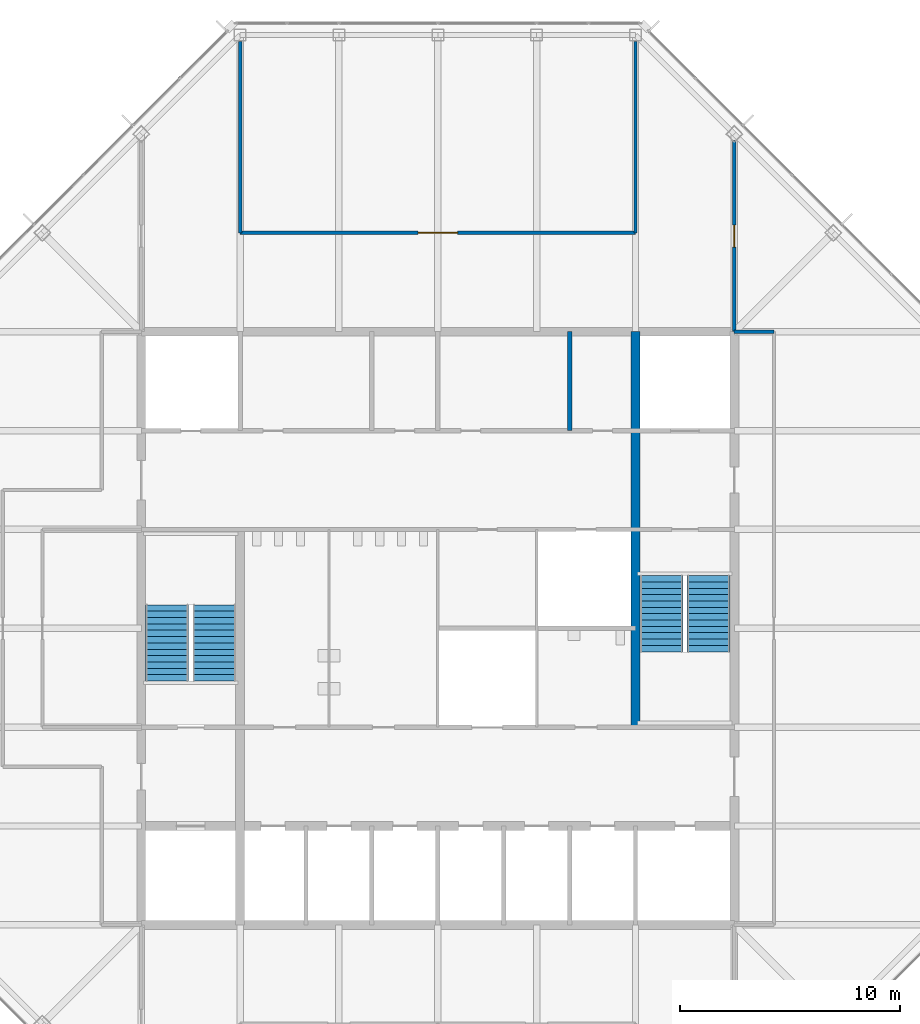
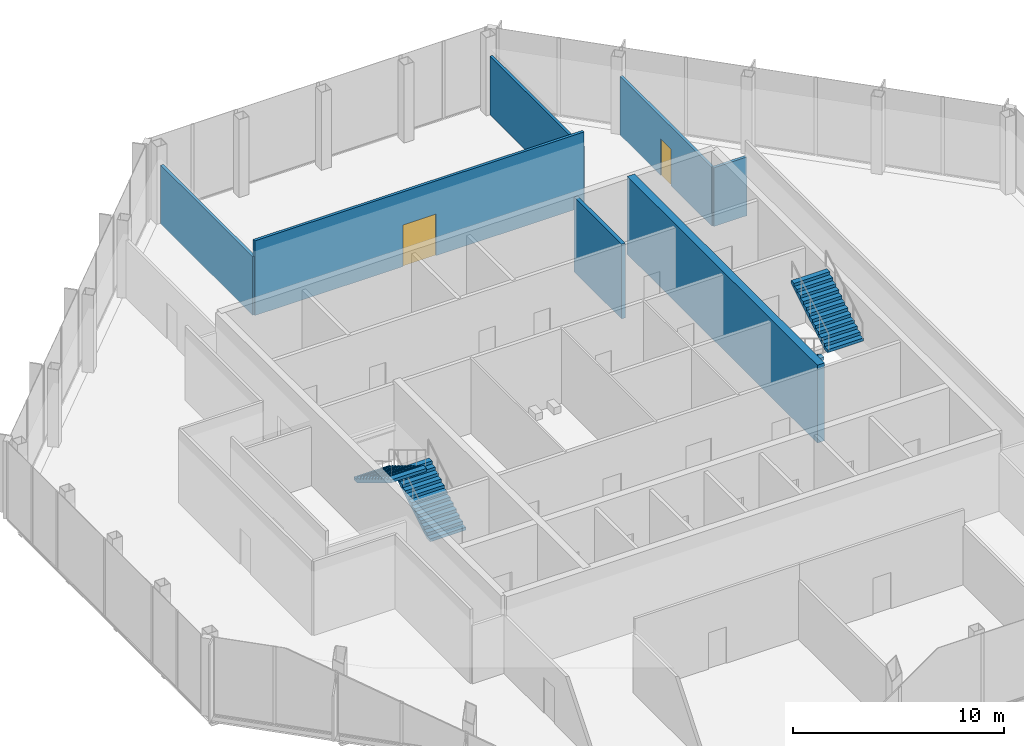
# One storey, part 11 of 13: 7 walls, 4 stair flights, 2 doors, 2 openings, 2 elements without a shape of their own.
"""IFC4 building model written with IfcOpenShell, lengths in metres."""

import ifcopenshell
import ifcopenshell.guid

model = None  # the IFC model being written
_history = None  # IfcOwnerHistory: only IFC2X3 demands one
_inside = {}  # id of a spatial element -> (the spatial element, [elements in it])
_under = {}  # id of a project, library or spatial element -> (it, [spatial elements below it])
_declared = {}  # id of a project -> (the project, [libraries it declares])
_typed = {}  # id of a type object -> (the type object, [elements of that type])
_made_of = {}  # id of a material, layer set ... -> (it, [elements and type objects made of it])


def new_model(schema):
    """Start an empty IFC model of exactly this schema.

    Asked for "IFC4X3", IfcOpenShell would pick the latest addendum, in which some entities
    have other attributes; the version numbers below select the first issue.
    IFC2X3 requires an IfcOwnerHistory on every rooted entity: one is made here for all.
    """
    global model, _history
    if schema == "IFC4X3":
        model = ifcopenshell.file(schema_version=(4, 3, 0, 0))
    else:
        model = ifcopenshell.file(schema=schema)
    _inside.clear()
    _under.clear()
    _declared.clear()
    _typed.clear()
    _made_of.clear()
    _history = None
    if model.schema == "IFC2X3":
        org = make("IfcOrganization", Name="unknown")
        user = make(
            "IfcPersonAndOrganization",
            ThePerson=make("IfcPerson", FamilyName="unknown"),
            TheOrganization=org,
        )
        app = make(
            "IfcApplication",
            ApplicationDeveloper=org,
            Version="unknown",
            ApplicationFullName="unknown",
            ApplicationIdentifier="unknown",
        )
        _history = make(
            "IfcOwnerHistory",
            OwningUser=user,
            OwningApplication=app,
            ChangeAction="ADDED",
            CreationDate=0,
        )
    return model


def make(cls, **values):
    """One entity of the class cls with the attributes given. An attribute that is None is left unset."""
    return model.create_entity(
        cls, **{name: value for name, value in values.items() if value is not None}
    )


def rooted(cls, **values):
    """An entity with a GlobalId (a new one), such as an element, a storey or a relation."""
    return make(cls, GlobalId=ifcopenshell.guid.new(), OwnerHistory=_history, **values)


def si_unit(unit_type, name, prefix=None):
    """IfcSIUnit, for example si_unit("LENGTHUNIT", "METRE", prefix="MILLI")."""
    return make("IfcSIUnit", UnitType=unit_type, Prefix=prefix, Name=name)


def assignment(units):
    """IfcUnitAssignment: the units of a project."""
    return None if units is None else make("IfcUnitAssignment", Units=units)


def point(xyz):
    """IfcCartesianPoint."""
    return None if xyz is None else make("IfcCartesianPoint", Coordinates=xyz)


def direction(xyz):
    """IfcDirection."""
    return None if xyz is None else make("IfcDirection", DirectionRatios=xyz)


def frame(location, z_axis=None, x_axis=None):
    """IfcAxis2Placement3D, a coordinate frame: its origin and axes. An axis left out is left unset."""
    return make(
        "IfcAxis2Placement3D",
        Location=point(location),
        Axis=direction(z_axis),
        RefDirection=direction(x_axis),
    )


def frame_2d(location, x_axis=None):
    """IfcAxis2Placement2D, a coordinate frame in the plane: its origin and x axis."""
    return make(
        "IfcAxis2Placement2D", Location=point(location), RefDirection=direction(x_axis)
    )


def origin():
    """The frame at (0, 0, 0) with its axes left unset."""
    return frame((0.0, 0.0, 0.0))


def place(relative_to, where):
    """IfcLocalPlacement: puts the frame where relative to a parent placement (None: the world)."""
    return make(
        "IfcLocalPlacement", PlacementRelTo=relative_to, RelativePlacement=where
    )


def context(
    kind, dimensions, precision=None, world=None, true_north=None, identifier=None
):
    """IfcGeometricRepresentationContext, for example the 3D "Model" context."""
    return make(
        "IfcGeometricRepresentationContext",
        ContextIdentifier=identifier,
        ContextType=kind,
        CoordinateSpaceDimension=dimensions,
        Precision=precision,
        WorldCoordinateSystem=world,
        TrueNorth=true_north,
    )


def subcontext(parent, identifier, kind, view, scale=None):
    """IfcGeometricRepresentationSubContext, for example "Body" below "Model"."""
    return make(
        "IfcGeometricRepresentationSubContext",
        ContextIdentifier=identifier,
        ContextType=kind,
        ParentContext=parent,
        TargetScale=scale,
        TargetView=view,
    )


def project(units=None, contexts=None):
    """IfcProject with its units and contexts."""
    return rooted(
        "IfcProject",
        Name="project",
        RepresentationContexts=contexts,
        UnitsInContext=assignment(units),
    )


def spatial(cls, under=None, at=None, **own):
    """A site, building, storey or space (cls), placed at a placement, below another one or the project."""
    s = rooted(cls, ObjectPlacement=at, **own)
    if under is not None:
        _under.setdefault(under.id(), (under, []))[1].append(s)
    return s


def polyline(points):
    """IfcPolyline through the points."""
    return make("IfcPolyline", Points=[point(p) for p in points])


def profile(cls, at=None, kind="AREA", **sizes):
    """A parametric profile (cls). Its sizes go by their IFC names, for example OverallWidth=200.0."""
    return make(cls, ProfileType=kind, Position=at, **sizes)


def rectangle(**sizes):
    """IfcRectangleProfileDef."""
    return profile("IfcRectangleProfileDef", **sizes)


def outline(outer, holes=None, kind="AREA"):
    """IfcArbitraryClosedProfileDef: a profile drawn as a closed curve; with holes, ...WithVoids."""
    if holes is None:
        return make("IfcArbitraryClosedProfileDef", ProfileType=kind, OuterCurve=outer)
    return make(
        "IfcArbitraryProfileDefWithVoids",
        ProfileType=kind,
        OuterCurve=outer,
        InnerCurves=holes,
    )


def extrude(swept, where, along, depth):
    """IfcExtrudedAreaSolid: the profile swept, set in the frame where, extruded along a direction by depth."""
    return make(
        "IfcExtrudedAreaSolid",
        SweptArea=swept,
        Position=where,
        ExtrudedDirection=direction(along),
        Depth=depth,
    )


def shape(context_of_items, identifier, shape_type, items):
    """IfcShapeRepresentation: the items that make up one representation, for example the "Body"."""
    return make(
        "IfcShapeRepresentation",
        ContextOfItems=context_of_items,
        RepresentationIdentifier=identifier,
        RepresentationType=shape_type,
        Items=items,
    )


def material(Name=None, Category=None):
    """IfcMaterial."""
    return make("IfcMaterial", Name=Name, Category=Category)


def layer(
    of_material, thickness, ventilated=None, Name=None, Category=None, Priority=None
):
    """IfcMaterialLayer: one layer of a wall or slab, of a material (None: an air gap)."""
    return make(
        "IfcMaterialLayer",
        Material=of_material,
        LayerThickness=thickness,
        IsVentilated=ventilated,
        Name=Name,
        Category=Category,
        Priority=Priority,
    )


def layer_set(layers, Name=None):
    """IfcMaterialLayerSet."""
    return make("IfcMaterialLayerSet", MaterialLayers=layers, LayerSetName=Name)


def made_of(thing, what):
    """Note that an element or type object is made of a material, layer set ...; save() writes the relation."""
    if what is not None:
        _made_of.setdefault(what.id(), (what, []))[1].append(thing)
    return thing


def type_object(cls, material=None, **own):
    """A type object (cls), such as IfcWallType, which elements share."""
    return made_of(rooted(cls, **own), material)


def element(
    cls,
    number,
    at=None,
    inside=None,
    cuts=None,
    type_object=None,
    material=None,
    context=None,
    identifier="Body",
    shape_type=None,
    held_by="IfcProductDefinitionShape",
    body=None,
    shapes=None,
    **own,
):
    """One element of the class cls, such as IfcWall. Its Tag is "e" and its number.

    at: its placement. inside: the storey or other place that contains it. cuts: it is an
    opening in that element (IfcRelVoidsElement). A single representation is given by context,
    identifier, shape_type and body (its items); several are given by shapes. held_by: the class
    of the entity that holds the representations. save() writes the other relations.
    """
    e = rooted(cls, Tag="e%d" % number, ObjectPlacement=at, **own)
    if body is not None:
        shapes = [shape(context, identifier, shape_type, body)]
    if shapes is not None:
        e.Representation = make(held_by, Representations=shapes)
    if inside is not None:
        _inside.setdefault(inside.id(), (inside, []))[1].append(e)
    if cuts is not None:
        rooted(
            "IfcRelVoidsElement", RelatingBuildingElement=cuts, RelatedOpeningElement=e
        )
    if type_object is not None:
        _typed.setdefault(type_object.id(), (type_object, []))[1].append(e)
    return made_of(e, material)


def fill(opening, filler):
    """IfcRelFillsElement: the door or window that sits in an opening."""
    return rooted(
        "IfcRelFillsElement",
        RelatingOpeningElement=opening,
        RelatedBuildingElement=filler,
    )


def aggregate(whole, parts):
    """IfcRelAggregates: a whole, such as a stair, and the parts it consists of."""
    return rooted("IfcRelAggregates", RelatingObject=whole, RelatedObjects=parts)


def save(model, path):
    """Write the relations noted so far, then the file.

    IfcRelAggregates (storeys below a building ...), IfcRelContainedInSpatialStructure (elements
    in a storey), IfcRelDefinesByType, IfcRelAssociatesMaterial and IfcRelDeclares: one each for
    every whole, place, type object, material and project.
    """
    for whole, parts in _under.values():
        aggregate(whole, parts)
    for where, things in _inside.values():
        rooted(
            "IfcRelContainedInSpatialStructure",
            RelatedElements=things,
            RelatingStructure=where,
        )
    for kind, things in _typed.values():
        rooted("IfcRelDefinesByType", RelatedObjects=things, RelatingType=kind)
    for what, things in _made_of.values():
        rooted("IfcRelAssociatesMaterial", RelatedObjects=things, RelatingMaterial=what)
    for by, libraries in _declared.values():
        rooted("IfcRelDeclares", RelatingContext=by, RelatedDefinitions=libraries)
    model.write(path)


model = new_model("IFC4")

# Units and contexts
model_context = context("Model", 3, precision=1e-05, world=origin(), true_north=direction((0.0, 1.0)))
body_context = subcontext(model_context, "Body", "Model", "MODEL_VIEW")
ifc_project = project(units=[si_unit("LENGTHUNIT", "METRE"), si_unit("AREAUNIT", "SQUARE_METRE"), si_unit("VOLUMEUNIT", "CUBIC_METRE"), si_unit("PLANEANGLEUNIT", "RADIAN"), si_unit("MASSUNIT", "GRAM", prefix="KILO")], contexts=[model_context])

# Site, building, storey
site_placement = place(None, origin())
site = spatial("IfcSite", under=ifc_project, at=site_placement, CompositionType="ELEMENT")
building_placement = place(site_placement, origin())
building = spatial("IfcBuilding", under=site, at=building_placement, Name="Corais Broadcast Tower", CompositionType="ELEMENT")
storey_placement = place(building_placement, frame((0.0, 0.0, 310.60009765625)))
storey = spatial("IfcBuildingStorey", under=building, at=storey_placement, Name="L73", CompositionType="ELEMENT", Elevation=310.60009765625)

# Walls
ifc_material_1 = material(Name="Concrete C50/60", Category="concrete")
ifc_layer_1 = layer(ifc_material_1, 0.39990234375)
ifc_layer_set_1 = layer_set([ifc_layer_1], Name="Concrete C50/60")
wall_type_1 = type_object("IfcWallType", Name="Core wall 400", PredefinedType="SHEAR", material=ifc_layer_set_1)
wall_1_placement = place(storey_placement, frame((36.0, 22.5, 0.0), z_axis=(0.0, 0.0, 1.0), x_axis=(0.0, 1.0, 0.0)))
element("IfcWall", 1, at=wall_1_placement, inside=storey, type_object=wall_type_1, Name="CR400 core wall X36B L73", PredefinedType="SHEAR", context=body_context, shape_type="SweptSolid", body=[
    extrude(rectangle(XDim=18.0, YDim=0.39990234375, at=frame_2d((9.0, 0.0))), origin(), (0.0, 0.0, 1.0), 4.5),
])
ifc_material_2 = material(Name="Gypsum board on steel studs", Category="steel")
ifc_layer_2 = layer(ifc_material_2, 0.14990234375)
ifc_layer_set_2 = layer_set([ifc_layer_2], Name="Gypsum board on steel studs")
wall_type_2 = type_object("IfcWallType", Name="Partition 150", PredefinedType="PARTITIONING", material=ifc_layer_set_2)
wall_2_placement = place(storey_placement, frame((42.300048828125, 40.5, 0.0), z_axis=(0.0, 0.0, 1.0), x_axis=(-1.0, 0.0, 0.0)))
element("IfcWall", 2, at=wall_2_placement, inside=storey, type_object=wall_type_2, Name="IW3 corridor wall L73", PredefinedType="PARTITIONING", context=body_context, shape_type="SweptSolid", body=[
    extrude(rectangle(XDim=1.81005859375, YDim=0.14990234375, at=frame_2d((0.905029296875, 0.0))), origin(), (0.0, 0.0, 1.0), 3.392822265625),
])

# Wall, opening, door
wall_3_placement = place(storey_placement, frame((18.0, 45.0, 0.0), z_axis=(0.0, 0.0, 1.0), x_axis=(1.0, 0.0, 0.0)))
wall_3 = element("IfcWall", 3, at=wall_3_placement, inside=storey, type_object=wall_type_2, Name="IW3 partition L73", PredefinedType="PARTITIONING", context=body_context, shape_type="SweptSolid", body=[
    extrude(rectangle(XDim=18.0, YDim=0.14990234375, at=frame_2d((9.0, 0.0))), origin(), (0.0, 0.0, 1.0), 4.31982421875),
])
opening_1_placement = place(wall_3_placement, frame((8.10009765625, 0.0, 0.0)))
opening_1 = element("IfcOpeningElement", 4, at=opening_1_placement, cuts=wall_3, Name="Opening D2", PredefinedType="OPENING", context=body_context, shape_type="SweptSolid", body=[
    extrude(rectangle(XDim=1.800048828125, YDim=2.39990234375, at=frame_2d((0.89990234375, 1.199951171875))), frame((0.0, 0.0849609375, 0.0), z_axis=(0.0, -1.0, 0.0), x_axis=(1.0, 0.0, 0.0)), (0.0, 0.0, 1.0), 0.169921875),
])
ifc_material_3 = material(Name="Timber door", Category="wood")
door_type_1 = type_object("IfcDoorType", Name="Double door 1800x2400", OperationType="DOUBLE_DOOR_SINGLE_SWING", PredefinedType="DOOR", material=ifc_material_3)
door_1_placement = place(opening_1_placement, origin())
door_1 = element("IfcDoor", 5, at=door_1_placement, inside=storey, type_object=door_type_1, Name="D2 Boardroom door", OperationType="SINGLE_SWING_LEFT", OverallHeight=2.39990234375, OverallWidth=1.800048828125, PredefinedType="DOOR", context=body_context, shape_type="SweptSolid", body=[
    extrude(rectangle(XDim=1.800048828125, YDim=2.39990234375, at=frame_2d((0.89990234375, 1.199951171875))), frame((0.0, 0.02490234375, 0.0), z_axis=(0.0, -1.0, 0.0), x_axis=(1.0, 0.0, 0.0)), (0.0, 0.0, 1.0), 0.050048828125),
])
fill(opening_1, door_1)

# Walls
for number, where, z_axis, x_axis, name in (
    (6, (36.0, 45.0, 0.0), (0.0, 0.0, 1.0), (0.0, 1.0, 0.0), "IW3 partition L73"),
    (7, (18.0, 53.715087890625, 0.0), (0.0, 0.0, 1.0), (0.0, -1.0, 0.0), "IW3 partition L73"),
):
    element("IfcWall", number, at=place(storey_placement, frame(where, z_axis=z_axis, x_axis=x_axis)), inside=storey, type_object=wall_type_2, Name=name, PredefinedType="PARTITIONING", context=body_context, shape_type="SweptSolid", body=[
        extrude(rectangle(XDim=8.715087890625, YDim=0.14990234375, at=frame_2d((4.357421875, 0.0))), origin(), (0.0, 0.0, 1.0), 3.392822265625),
    ])

# Wall, opening, door
wall_4_placement = place(storey_placement, frame((40.5, 49.205078125, 0.0), z_axis=(0.0, 0.0, 1.0), x_axis=(0.0, -1.0, 0.0)))
wall_4 = element("IfcWall", 8, at=wall_4_placement, inside=storey, type_object=wall_type_2, Name="IW3 partition L73", PredefinedType="PARTITIONING", context=body_context, shape_type="SweptSolid", body=[
    extrude(rectangle(XDim=8.705078125, YDim=0.14990234375, at=frame_2d((4.3525390625, 0.0))), origin(), (0.0, 0.0, 1.0), 3.392822265625),
])
opening_2_placement = place(wall_4_placement, frame((3.8525390625, 0.0, 0.0)))
opening_2 = element("IfcOpeningElement", 9, at=opening_2_placement, cuts=wall_4, Name="Opening D1", PredefinedType="OPENING", context=body_context, shape_type="SweptSolid", body=[
    extrude(rectangle(XDim=1.0, YDim=2.10009765625, at=frame_2d((0.5, 1.050048828125))), frame((0.0, 0.0849609375, 0.0), z_axis=(0.0, -1.0, 0.0), x_axis=(1.0, 0.0, 0.0)), (0.0, 0.0, 1.0), 0.169921875),
])
ifc_material_4 = material(Name="Timber door", Category="wood")
door_type_2 = type_object("IfcDoorType", Name="Single door 1000x2100", OperationType="SINGLE_SWING_LEFT", PredefinedType="DOOR", material=ifc_material_4)
door_2_placement = place(opening_2_placement, origin())
door_2 = element("IfcDoor", 10, at=door_2_placement, inside=storey, type_object=door_type_2, Name="D1 team room door L73", OperationType="SINGLE_SWING_LEFT", OverallHeight=2.10009765625, OverallWidth=1.0, PredefinedType="DOOR", context=body_context, shape_type="SweptSolid", body=[
    extrude(rectangle(XDim=1.0, YDim=2.10009765625, at=frame_2d((0.5, 1.050048828125))), frame((0.0, 0.02490234375, 0.0), z_axis=(0.0, -1.0, 0.0), x_axis=(1.0, 0.0, 0.0)), (0.0, 0.0, 1.0), 0.050048828125),
])
fill(opening_2, door_2)

# Wall
ifc_material_5 = material(Name="Concrete blockwork class A, grouted, two-hour", Category="masonry")
ifc_layer_3 = layer(ifc_material_5, 0.199951171875)
ifc_layer_set_3 = layer_set([ifc_layer_3], Name="Concrete blockwork class A, grouted, two-hour")
wall_type_3 = type_object("IfcWallType", Name="Shaft wall 200", PredefinedType="PARTITIONING", material=ifc_layer_set_3)
wall_5_placement = place(storey_placement, frame((33.0, 36.0, 0.0), z_axis=(0.0, 0.0, 1.0), x_axis=(0.0, 1.0, 0.0)))
element("IfcWall", 11, at=wall_5_placement, inside=storey, type_object=wall_type_3, Name="IW1 shaft wall L73", PredefinedType="PARTITIONING", context=body_context, shape_type="SweptSolid", body=[
    extrude(rectangle(XDim=4.5, YDim=0.199951171875, at=frame_2d((2.25, 0.0))), origin(), (0.0, 0.0, 1.0), 4.31982421875),
])

# Stair, stair flights
ifc_material_6 = material(Name="Concrete C30/37", Category="concrete")
stair_type = type_object("IfcStairType", Name="Half-turn stair 4500", PredefinedType="HALF_TURN_STAIR", material=ifc_material_6)
stair_1_placement = place(storey_placement, origin())
stair_1 = element("IfcStair", 12, at=stair_1_placement, inside=storey, type_object=stair_type, Name="Stair A L73", PredefinedType="HALF_TURN_STAIR")
ifc_material_7 = material(Name="Concrete C30/37", Category="concrete")
stair_flight_type = type_object("IfcStairFlightType", Name="Stair flight 4500", PredefinedType="STRAIGHT", material=ifc_material_7)
stair_flight_1_placement = place(storey_placement, frame((16.824951171875, 24.60009765625, 0.0), z_axis=(0.0, 0.0, 1.0), x_axis=(0.0, 1.0, 0.0)))
stair_flight_1 = element("IfcStairFlight", 13, at=stair_flight_1_placement, type_object=stair_flight_type, Name="STA flight 1", NumberOfRisers=13, NumberOfTreads=12, PredefinedType="STRAIGHT", RiserHeight=0.173076923, TreadLength=0.289, context=body_context, shape_type="SweptSolid", body=[
    extrude(outline(polyline([(0.0, 0.0), (0.0, 0.173095703125), (0.2890625, 0.173095703125), (0.2890625, 0.34619140625), (0.577880859375, 0.34619140625), (0.577880859375, 0.519287109375), (0.866943359375, 0.519287109375), (0.866943359375, 0.6923828125), (1.156005859375, 0.6923828125), (1.156005859375, 0.865478515625), (1.445068359375, 0.865478515625), (1.445068359375, 1.03857421875), (1.73388671875, 1.03857421875), (1.73388671875, 1.21142578125), (2.02294921875, 1.21142578125), (2.02294921875, 1.384521484375), (2.31201171875, 1.384521484375), (2.31201171875, 1.5576171875), (2.60107421875, 1.5576171875), (2.60107421875, 1.730712890625), (2.889892578125, 1.730712890625), (2.889892578125, 1.90380859375), (3.178955078125, 1.90380859375), (3.178955078125, 2.076904296875), (3.468017578125, 2.076904296875), (3.468017578125, 2.25), (3.468017578125, 1.902099609375), (0.291748046875, 0.0), (0.0, 0.0)])), frame((0.0, 0.97509765625, 0.0), z_axis=(0.0, -1.0, 0.0), x_axis=(1.0, 0.0, 0.0)), (0.0, 0.0, 1.0), 1.949951171875),
])
stair_flight_2_placement = place(storey_placement, frame((14.675048828125, 28.068115234375, 2.25), z_axis=(0.0, 0.0, 1.0), x_axis=(0.0, -1.0, 0.0)))
stair_flight_2 = element("IfcStairFlight", 14, at=stair_flight_2_placement, type_object=stair_flight_type, Name="STA flight 2", NumberOfRisers=13, NumberOfTreads=12, PredefinedType="STRAIGHT", RiserHeight=0.173076923, TreadLength=0.289, context=body_context, shape_type="SweptSolid", body=[
    extrude(outline(polyline([(0.0, 0.0), (0.0, 0.173095703125), (0.2890625, 0.173095703125), (0.2890625, 0.34619140625), (0.577880859375, 0.34619140625), (0.577880859375, 0.519287109375), (0.866943359375, 0.519287109375), (0.866943359375, 0.6923828125), (1.156005859375, 0.6923828125), (1.156005859375, 0.865478515625), (1.445068359375, 0.865478515625), (1.445068359375, 1.03857421875), (1.73388671875, 1.03857421875), (1.73388671875, 1.21142578125), (2.02294921875, 1.21142578125), (2.02294921875, 1.384521484375), (2.31201171875, 1.384521484375), (2.31201171875, 1.5576171875), (2.60107421875, 1.5576171875), (2.60107421875, 1.730712890625), (2.889892578125, 1.730712890625), (2.889892578125, 1.90380859375), (3.178955078125, 1.90380859375), (3.178955078125, 2.076904296875), (3.468017578125, 2.076904296875), (3.468017578125, 2.25), (3.468017578125, 1.902099609375), (0.291748046875, 0.0), (0.0, 0.0)])), frame((0.0, 0.97509765625, 0.0), z_axis=(0.0, -1.0, 0.0), x_axis=(1.0, 0.0, 0.0)), (0.0, 0.0, 1.0), 1.949951171875),
])
aggregate(stair_1, [stair_flight_1, stair_flight_2])

stair_2_placement = place(storey_placement, origin())
stair_2 = element("IfcStair", 15, at=stair_2_placement, inside=storey, type_object=stair_type, Name="Stair B L73", PredefinedType="HALF_TURN_STAIR")
stair_flight_3_placement = place(storey_placement, frame((37.175048828125, 29.39990234375, 0.0), z_axis=(0.0, 0.0, 1.0), x_axis=(0.0, -1.0, 0.0)))
stair_flight_3 = element("IfcStairFlight", 16, at=stair_flight_3_placement, type_object=stair_flight_type, Name="STB flight 1", NumberOfRisers=13, NumberOfTreads=12, PredefinedType="STRAIGHT", RiserHeight=0.173076923, TreadLength=0.289, context=body_context, shape_type="SweptSolid", body=[
    extrude(outline(polyline([(0.0, 0.0), (0.0, 0.173095703125), (0.2890625, 0.173095703125), (0.2890625, 0.34619140625), (0.577880859375, 0.34619140625), (0.577880859375, 0.519287109375), (0.866943359375, 0.519287109375), (0.866943359375, 0.6923828125), (1.156005859375, 0.6923828125), (1.156005859375, 0.865478515625), (1.445068359375, 0.865478515625), (1.445068359375, 1.03857421875), (1.73388671875, 1.03857421875), (1.73388671875, 1.21142578125), (2.02294921875, 1.21142578125), (2.02294921875, 1.384521484375), (2.31201171875, 1.384521484375), (2.31201171875, 1.5576171875), (2.60107421875, 1.5576171875), (2.60107421875, 1.730712890625), (2.889892578125, 1.730712890625), (2.889892578125, 1.90380859375), (3.178955078125, 1.90380859375), (3.178955078125, 2.076904296875), (3.468017578125, 2.076904296875), (3.468017578125, 2.25), (3.468017578125, 1.902099609375), (0.291748046875, 0.0), (0.0, 0.0)])), frame((0.0, 0.97509765625, 0.0), z_axis=(0.0, -1.0, 0.0), x_axis=(1.0, 0.0, 0.0)), (0.0, 0.0, 1.0), 1.949951171875),
])
stair_flight_4_placement = place(storey_placement, frame((39.324951171875, 25.931884765625, 2.25), z_axis=(0.0, 0.0, 1.0), x_axis=(0.0, 1.0, 0.0)))
stair_flight_4 = element("IfcStairFlight", 17, at=stair_flight_4_placement, type_object=stair_flight_type, Name="STB flight 2", NumberOfRisers=13, NumberOfTreads=12, PredefinedType="STRAIGHT", RiserHeight=0.173076923, TreadLength=0.289, context=body_context, shape_type="SweptSolid", body=[
    extrude(outline(polyline([(0.0, 0.0), (0.0, 0.173095703125), (0.2890625, 0.173095703125), (0.2890625, 0.34619140625), (0.577880859375, 0.34619140625), (0.577880859375, 0.519287109375), (0.866943359375, 0.519287109375), (0.866943359375, 0.6923828125), (1.156005859375, 0.6923828125), (1.156005859375, 0.865478515625), (1.445068359375, 0.865478515625), (1.445068359375, 1.03857421875), (1.73388671875, 1.03857421875), (1.73388671875, 1.21142578125), (2.02294921875, 1.21142578125), (2.02294921875, 1.384521484375), (2.31201171875, 1.384521484375), (2.31201171875, 1.5576171875), (2.60107421875, 1.5576171875), (2.60107421875, 1.730712890625), (2.889892578125, 1.730712890625), (2.889892578125, 1.90380859375), (3.178955078125, 1.90380859375), (3.178955078125, 2.076904296875), (3.468017578125, 2.076904296875), (3.468017578125, 2.25), (3.468017578125, 1.902099609375), (0.291748046875, 0.0), (0.0, 0.0)])), frame((0.0, 0.97509765625, 0.0), z_axis=(0.0, -1.0, 0.0), x_axis=(1.0, 0.0, 0.0)), (0.0, 0.0, 1.0), 1.949951171875),
])
aggregate(stair_2, [stair_flight_3, stair_flight_4])

save(model, "model.ifc")
